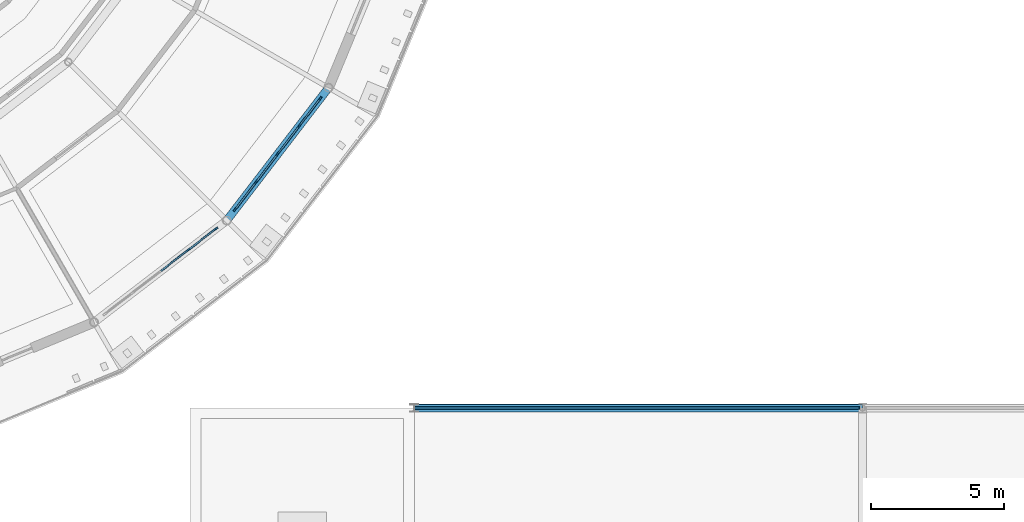
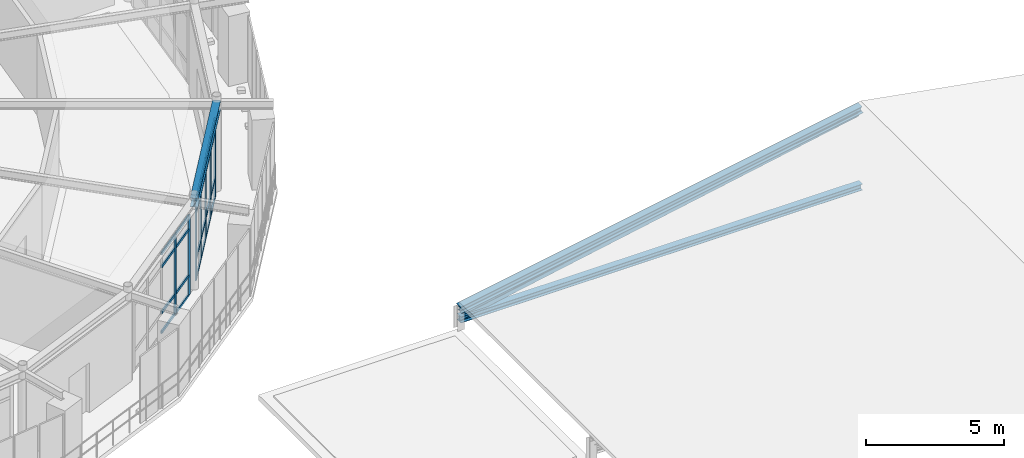
# One storey, part 36 of 90: 34 members, 1 beam, 2 elements without a shape of their own.
"""IFC4 building model written with IfcOpenShell, lengths in metres."""

from ifc_helpers import new_model, si_unit, derived_unit, direction, frame, origin, origin_2d, place, context, subcontext, project, spatial, rectangle, hollow_rectangle, i_section, extrude, material, layer, layer_set, material_profile, profile_set, type_object, element, aggregate, save


model = new_model("IFC4")

# Units and contexts
model_context = context("Model", 3, precision=1e-05, world=origin(), true_north=direction((0.0, 1.0)))
body_context = subcontext(model_context, "Body", "Model", "MODEL_VIEW")
ifc_project = project(units=[si_unit("LENGTHUNIT", "METRE"), si_unit("AREAUNIT", "SQUARE_METRE"), si_unit("VOLUMEUNIT", "CUBIC_METRE"), si_unit("PLANEANGLEUNIT", "RADIAN"), si_unit("MASSUNIT", "GRAM", prefix="KILO"), derived_unit("THERMALTRANSMITTANCEUNIT", [(si_unit("POWERUNIT", "WATT"), 1), (si_unit("AREAUNIT", "SQUARE_METRE"), -1), (si_unit("THERMODYNAMICTEMPERATUREUNIT", "KELVIN"), -1)])], contexts=[model_context])

# Site, building, storey
site_placement = place(None, origin())
site = spatial("IfcSite", under=ifc_project, at=site_placement, CompositionType="ELEMENT")
building_placement = place(site_placement, origin())
building = spatial("IfcBuilding", under=site, at=building_placement, Name="Yasenodar Specialist Clinic", CompositionType="ELEMENT")
storey_placement = place(building_placement, frame((0.0, 0.0, 9.0)))
storey = spatial("IfcBuildingStorey", under=building, at=storey_placement, Name="L02", CompositionType="ELEMENT", Elevation=9.0)

# Beam
ifc_material_1 = material(Name="Steel S355", Category="steel")
ifc_material_profile_1 = material_profile(ifc_material_1, i_section(OverallWidth=0.300048828125, OverallDepth=0.389892578125, WebThickness=0.010986328125, FlangeThickness=0.01904296875, FilletRadius=0.027099609375, at=origin_2d()), Name="HEA 400")
ifc_profile_set_1 = profile_set([ifc_material_profile_1], Name="Steel S355")
beam_type = type_object("IfcBeamType", Name="BM-HEA400", PredefinedType="BEAM", material=ifc_profile_set_1)
beam_placement = place(storey_placement, frame((97.970703125, 41.829345703125, 3.7548828125), z_axis=(0.608742360322, 0.793367971845, 0.0), x_axis=(-0.793367971845, 0.608742360322, 0.0)))
element("IfcBeam", 1, at=beam_placement, inside=storey, type_object=beam_type, Name="L02 Drum V1 Perimeter Ring Beam", PredefinedType="BEAM", context=body_context, shape_type="SweptSolid", body=[
    extrude(i_section(OverallWidth=0.300048828125, OverallDepth=0.389892578125, WebThickness=0.010986328125, FlangeThickness=0.01904296875, FilletRadius=0.027099609375, at=origin_2d()), origin(), (0.0, 0.0, 1.0), 6.265380859375),
])

# Curtain wall, members
ifc_material_2 = material(Name="Bronze Anodized Aluminium and Triple Low-E Glass", Category="aluminium")
ifc_layer = layer(ifc_material_2, 0.1669921875)
ifc_layer_set = layer_set([ifc_layer], Name="Bronze Anodized Aluminium and Triple Low-E Glass")
curtain_wall_type = type_object("IfcCurtainWallType", Name="CW-SYS-01", PredefinedType="USERDEFINED", material=ifc_layer_set)
curtain_wall_1_placement = place(storey_placement, origin())
curtain_wall_1 = element("IfcCurtainWall", 2, at=curtain_wall_1_placement, inside=storey, type_object=curtain_wall_type, Name="L02 Unitised Curtain Wall 037", ObjectType="UNITISED CURTAIN WALL", PredefinedType="USERDEFINED")
ifc_material_3 = material(Name="Bronze Anodized Aluminium", Category="aluminium")
ifc_material_profile_2 = material_profile(ifc_material_3, rectangle(XDim=0.06005859375, YDim=0.159912109375, at=origin_2d()), Name="CW-MULL 60x160")
ifc_profile_set_2 = profile_set([ifc_material_profile_2], Name="Bronze Anodized Aluminium")
member_type_1 = type_object("IfcMemberType", Name="CW-MULL-160", PredefinedType="MULLION", material=ifc_profile_set_2)
member_1_placement = place(storey_placement, frame((97.56591796875, 41.51904296875, 0.0), z_axis=(0.0, 0.0, 1.0), x_axis=(0.608752021844, -0.793360558574, 0.0)))
member_1 = element("IfcMember", 3, at=member_1_placement, type_object=member_type_1, Name="CW-01 mullion 1", PredefinedType="MULLION", context=body_context, shape_type="SweptSolid", body=[
    extrude(rectangle(XDim=0.06005859375, YDim=0.159912109375, at=origin_2d()), origin(), (0.0, 0.0, 1.0), 3.5380859375),
])
member_2_placement = place(storey_placement, frame((96.53759765625, 40.729736328125, 0.0), z_axis=(0.0, 0.0, 1.0), x_axis=(0.608752021844, -0.793360558574, 0.0)))
member_2 = element("IfcMember", 4, at=member_2_placement, type_object=member_type_1, Name="CW-01 mullion 2", PredefinedType="MULLION", context=body_context, shape_type="SweptSolid", body=[
    extrude(rectangle(XDim=0.06005859375, YDim=0.159912109375, at=origin_2d()), origin(), (0.0, 0.0, 1.0), 3.5380859375),
])

curtain_wall_2_placement = place(storey_placement, origin())
curtain_wall_2 = element("IfcCurtainWall", 5, at=curtain_wall_2_placement, inside=storey, type_object=curtain_wall_type, Name="L02 Unitised Curtain Wall 038", ObjectType="UNITISED CURTAIN WALL", PredefinedType="USERDEFINED")
member_3_placement = place(storey_placement, frame((101.47412109375, 46.3955078125, 0.0), z_axis=(0.0, 0.0, 1.0), x_axis=(0.793360558574, -0.608752021844, 0.0)))
member_3 = element("IfcMember", 6, at=member_3_placement, type_object=member_type_1, Name="CW-01 mullion 1", PredefinedType="MULLION", context=body_context, shape_type="SweptSolid", body=[
    extrude(rectangle(XDim=0.06005859375, YDim=0.159912109375, at=origin_2d()), origin(), (0.0, 0.0, 1.0), 3.5380859375),
])
member_4_placement = place(storey_placement, frame((100.68505859375, 45.366943359375, 0.0), z_axis=(0.0, 0.0, 1.0), x_axis=(0.793360558574, -0.608752021844, 0.0)))
member_4 = element("IfcMember", 7, at=member_4_placement, type_object=member_type_1, Name="CW-01 mullion 2", PredefinedType="MULLION", context=body_context, shape_type="SweptSolid", body=[
    extrude(rectangle(XDim=0.06005859375, YDim=0.159912109375, at=origin_2d()), origin(), (0.0, 0.0, 1.0), 3.5380859375),
])
member_5_placement = place(storey_placement, frame((99.877685546875, 44.314697265625, 0.0), z_axis=(0.0, 0.0, 1.0), x_axis=(0.793360558574, -0.608752021844, 0.0)))
member_5 = element("IfcMember", 8, at=member_5_placement, type_object=member_type_1, Name="CW-01 mullion 3", PredefinedType="MULLION", context=body_context, shape_type="SweptSolid", body=[
    extrude(rectangle(XDim=0.06005859375, YDim=0.159912109375, at=origin_2d()), origin(), (0.0, 0.0, 1.0), 3.5380859375),
])
member_6_placement = place(storey_placement, frame((99.0703125, 43.262451171875, 0.0), z_axis=(0.0, 0.0, 1.0), x_axis=(0.793360558574, -0.608752021844, 0.0)))
member_6 = element("IfcMember", 9, at=member_6_placement, type_object=member_type_1, Name="CW-01 mullion 4", PredefinedType="MULLION", context=body_context, shape_type="SweptSolid", body=[
    extrude(rectangle(XDim=0.06005859375, YDim=0.159912109375, at=origin_2d()), origin(), (0.0, 0.0, 1.0), 3.5380859375),
])
member_7_placement = place(storey_placement, frame((98.281005859375, 42.23388671875, 0.0), z_axis=(0.0, 0.0, 1.0), x_axis=(0.793360558574, -0.608752021844, 0.0)))
member_7 = element("IfcMember", 10, at=member_7_placement, type_object=member_type_1, Name="CW-01 mullion 5", PredefinedType="MULLION", context=body_context, shape_type="SweptSolid", body=[
    extrude(rectangle(XDim=0.06005859375, YDim=0.159912109375, at=origin_2d()), origin(), (0.0, 0.0, 1.0), 3.5380859375),
])

# Member
ifc_material_profile_3 = material_profile(ifc_material_3, rectangle(XDim=0.06005859375, YDim=0.1201171875, at=origin_2d()), Name="CW-TRAN 60x120")
ifc_profile_set_3 = profile_set([ifc_material_profile_3], Name="Bronze Anodized Aluminium")
member_type_2 = type_object("IfcMemberType", Name="CW-TRAN-120", PredefinedType="USERDEFINED", material=ifc_profile_set_3)
member_8_placement = place(storey_placement, frame((97.542236328125, 41.500732421875, 0.030029296875), z_axis=(-0.793364768151, -0.608746535642, 0.0), x_axis=(0.608746535642, -0.793364768151, 0.0)))
member_8 = element("IfcMember", 11, at=member_8_placement, type_object=member_type_2, Name="CW-01 transom 1.1", ObjectType="TRANSOM", PredefinedType="USERDEFINED", context=body_context, shape_type="SweptSolid", body=[
    extrude(rectangle(XDim=0.06005859375, YDim=0.1201171875, at=origin_2d()), origin(), (0.0, 0.0, 1.0), 1.236572265625),
])

member_9_placement = place(storey_placement, frame((97.542236328125, 41.500732421875, 0.89990234375), z_axis=(-0.793364768151, -0.608746535642, 0.0), x_axis=(0.608746535642, -0.793364768151, 0.0)))
member_9 = element("IfcMember", 12, at=member_9_placement, type_object=member_type_2, Name="CW-01 transom 1.2", ObjectType="TRANSOM", PredefinedType="USERDEFINED", context=body_context, shape_type="SweptSolid", body=[
    extrude(rectangle(XDim=0.06005859375, YDim=0.1201171875, at=origin_2d()), origin(), (0.0, 0.0, 1.0), 1.236572265625),
])

member_10_placement = place(storey_placement, frame((97.542236328125, 41.500732421875, 2.93798828125), z_axis=(-0.793364768151, -0.608746535642, 0.0), x_axis=(0.608746535642, -0.793364768151, 0.0)))
member_10 = element("IfcMember", 13, at=member_10_placement, type_object=member_type_2, Name="CW-01 transom 1.3", ObjectType="TRANSOM", PredefinedType="USERDEFINED", context=body_context, shape_type="SweptSolid", body=[
    extrude(rectangle(XDim=0.06005859375, YDim=0.1201171875, at=origin_2d()), origin(), (0.0, 0.0, 1.0), 1.236572265625),
])

member_11_placement = place(storey_placement, frame((97.542236328125, 41.500732421875, 3.508056640625), z_axis=(-0.793364768151, -0.608746535642, 0.0), x_axis=(0.608746535642, -0.793364768151, 0.0)))
member_11 = element("IfcMember", 14, at=member_11_placement, type_object=member_type_2, Name="CW-01 transom 1.4", ObjectType="TRANSOM", PredefinedType="USERDEFINED", context=body_context, shape_type="SweptSolid", body=[
    extrude(rectangle(XDim=0.06005859375, YDim=0.1201171875, at=origin_2d()), origin(), (0.0, 0.0, 1.0), 1.236572265625),
])

member_12_placement = place(storey_placement, frame((96.513671875, 40.71142578125, 0.030029296875), z_axis=(-0.793404604701, -0.608694614104, 0.0), x_axis=(0.608694614104, -0.793404604701, 0.0)))
member_12 = element("IfcMember", 15, at=member_12_placement, type_object=member_type_2, Name="CW-01 transom 2.1", ObjectType="TRANSOM", PredefinedType="USERDEFINED", context=body_context, shape_type="SweptSolid", body=[
    extrude(rectangle(XDim=0.06005859375, YDim=0.1201171875, at=origin_2d()), origin(), (0.0, 0.0, 1.0), 1.266357421875),
])

member_13_placement = place(storey_placement, frame((96.513671875, 40.71142578125, 0.89990234375), z_axis=(-0.793404604701, -0.608694614104, 0.0), x_axis=(0.608694614104, -0.793404604701, 0.0)))
member_13 = element("IfcMember", 16, at=member_13_placement, type_object=member_type_2, Name="CW-01 transom 2.2", ObjectType="TRANSOM", PredefinedType="USERDEFINED", context=body_context, shape_type="SweptSolid", body=[
    extrude(rectangle(XDim=0.06005859375, YDim=0.1201171875, at=origin_2d()), origin(), (0.0, 0.0, 1.0), 1.266357421875),
])

member_14_placement = place(storey_placement, frame((96.513671875, 40.71142578125, 2.93798828125), z_axis=(-0.793404604701, -0.608694614104, 0.0), x_axis=(0.608694614104, -0.793404604701, 0.0)))
member_14 = element("IfcMember", 17, at=member_14_placement, type_object=member_type_2, Name="CW-01 transom 2.3", ObjectType="TRANSOM", PredefinedType="USERDEFINED", context=body_context, shape_type="SweptSolid", body=[
    extrude(rectangle(XDim=0.06005859375, YDim=0.1201171875, at=origin_2d()), origin(), (0.0, 0.0, 1.0), 1.266357421875),
])

member_15_placement = place(storey_placement, frame((96.513671875, 40.71142578125, 3.508056640625), z_axis=(-0.793404604701, -0.608694614104, 0.0), x_axis=(0.608694614104, -0.793404604701, 0.0)))
member_15 = element("IfcMember", 18, at=member_15_placement, type_object=member_type_2, Name="CW-01 transom 2.4", ObjectType="TRANSOM", PredefinedType="USERDEFINED", context=body_context, shape_type="SweptSolid", body=[
    extrude(rectangle(XDim=0.06005859375, YDim=0.1201171875, at=origin_2d()), origin(), (0.0, 0.0, 1.0), 1.266357421875),
])

aggregate(curtain_wall_1, [member_1, member_2, member_8, member_9, member_10, member_11, member_12, member_13, member_14, member_15])

member_16_placement = place(storey_placement, frame((101.455810546875, 46.37158203125, 0.030029296875), z_axis=(-0.608717606417, -0.793386964626, 0.0), x_axis=(0.793386964626, -0.608717606417, 0.0)))
member_16 = element("IfcMember", 19, at=member_16_placement, type_object=member_type_2, Name="CW-01 transom 1.1", ObjectType="TRANSOM", PredefinedType="USERDEFINED", context=body_context, shape_type="SweptSolid", body=[
    extrude(rectangle(XDim=0.06005859375, YDim=0.1201171875, at=origin_2d()), origin(), (0.0, 0.0, 1.0), 1.236083984375),
])

member_17_placement = place(storey_placement, frame((101.455810546875, 46.37158203125, 0.89990234375), z_axis=(-0.608717606417, -0.793386964626, 0.0), x_axis=(0.793386964626, -0.608717606417, 0.0)))
member_17 = element("IfcMember", 20, at=member_17_placement, type_object=member_type_2, Name="CW-01 transom 1.2", ObjectType="TRANSOM", PredefinedType="USERDEFINED", context=body_context, shape_type="SweptSolid", body=[
    extrude(rectangle(XDim=0.06005859375, YDim=0.1201171875, at=origin_2d()), origin(), (0.0, 0.0, 1.0), 1.236083984375),
])

member_18_placement = place(storey_placement, frame((101.455810546875, 46.37158203125, 2.93798828125), z_axis=(-0.608717606417, -0.793386964626, 0.0), x_axis=(0.793386964626, -0.608717606417, 0.0)))
member_18 = element("IfcMember", 21, at=member_18_placement, type_object=member_type_2, Name="CW-01 transom 1.3", ObjectType="TRANSOM", PredefinedType="USERDEFINED", context=body_context, shape_type="SweptSolid", body=[
    extrude(rectangle(XDim=0.06005859375, YDim=0.1201171875, at=origin_2d()), origin(), (0.0, 0.0, 1.0), 1.236083984375),
])

member_19_placement = place(storey_placement, frame((101.455810546875, 46.37158203125, 3.508056640625), z_axis=(-0.608717606417, -0.793386964626, 0.0), x_axis=(0.793386964626, -0.608717606417, 0.0)))
member_19 = element("IfcMember", 22, at=member_19_placement, type_object=member_type_2, Name="CW-01 transom 1.4", ObjectType="TRANSOM", PredefinedType="USERDEFINED", context=body_context, shape_type="SweptSolid", body=[
    extrude(rectangle(XDim=0.06005859375, YDim=0.1201171875, at=origin_2d()), origin(), (0.0, 0.0, 1.0), 1.236083984375),
])

member_20_placement = place(storey_placement, frame((100.666748046875, 45.34326171875, 0.030029296875), z_axis=(-0.608722862036, -0.793382932281, 0.0), x_axis=(0.793382932281, -0.608722862036, 0.0)))
member_20 = element("IfcMember", 23, at=member_20_placement, type_object=member_type_2, Name="CW-01 transom 2.1", ObjectType="TRANSOM", PredefinedType="USERDEFINED", context=body_context, shape_type="SweptSolid", body=[
    extrude(rectangle(XDim=0.06005859375, YDim=0.1201171875, at=origin_2d()), origin(), (0.0, 0.0, 1.0), 1.2666015625),
])

member_21_placement = place(storey_placement, frame((100.666748046875, 45.34326171875, 0.89990234375), z_axis=(-0.608722862036, -0.793382932281, 0.0), x_axis=(0.793382932281, -0.608722862036, 0.0)))
member_21 = element("IfcMember", 24, at=member_21_placement, type_object=member_type_2, Name="CW-01 transom 2.2", ObjectType="TRANSOM", PredefinedType="USERDEFINED", context=body_context, shape_type="SweptSolid", body=[
    extrude(rectangle(XDim=0.06005859375, YDim=0.1201171875, at=origin_2d()), origin(), (0.0, 0.0, 1.0), 1.2666015625),
])

member_22_placement = place(storey_placement, frame((100.666748046875, 45.34326171875, 2.93798828125), z_axis=(-0.608722862036, -0.793382932281, 0.0), x_axis=(0.793382932281, -0.608722862036, 0.0)))
member_22 = element("IfcMember", 25, at=member_22_placement, type_object=member_type_2, Name="CW-01 transom 2.3", ObjectType="TRANSOM", PredefinedType="USERDEFINED", context=body_context, shape_type="SweptSolid", body=[
    extrude(rectangle(XDim=0.06005859375, YDim=0.1201171875, at=origin_2d()), origin(), (0.0, 0.0, 1.0), 1.2666015625),
])

member_23_placement = place(storey_placement, frame((100.666748046875, 45.34326171875, 3.508056640625), z_axis=(-0.608722862036, -0.793382932281, 0.0), x_axis=(0.793382932281, -0.608722862036, 0.0)))
member_23 = element("IfcMember", 26, at=member_23_placement, type_object=member_type_2, Name="CW-01 transom 2.4", ObjectType="TRANSOM", PredefinedType="USERDEFINED", context=body_context, shape_type="SweptSolid", body=[
    extrude(rectangle(XDim=0.06005859375, YDim=0.1201171875, at=origin_2d()), origin(), (0.0, 0.0, 1.0), 1.2666015625),
])

member_24_placement = place(storey_placement, frame((99.859375, 44.291015625, 0.030029296875), z_axis=(-0.608722862036, -0.793382932281, 0.0), x_axis=(0.793382932281, -0.608722862036, 0.0)))
member_24 = element("IfcMember", 27, at=member_24_placement, type_object=member_type_2, Name="CW-01 transom 3.1", ObjectType="TRANSOM", PredefinedType="USERDEFINED", context=body_context, shape_type="SweptSolid", body=[
    extrude(rectangle(XDim=0.06005859375, YDim=0.1201171875, at=origin_2d()), origin(), (0.0, 0.0, 1.0), 1.2666015625),
])

member_25_placement = place(storey_placement, frame((99.859375, 44.291015625, 0.89990234375), z_axis=(-0.608722862036, -0.793382932281, 0.0), x_axis=(0.793382932281, -0.608722862036, 0.0)))
member_25 = element("IfcMember", 28, at=member_25_placement, type_object=member_type_2, Name="CW-01 transom 3.2", ObjectType="TRANSOM", PredefinedType="USERDEFINED", context=body_context, shape_type="SweptSolid", body=[
    extrude(rectangle(XDim=0.06005859375, YDim=0.1201171875, at=origin_2d()), origin(), (0.0, 0.0, 1.0), 1.2666015625),
])

member_26_placement = place(storey_placement, frame((99.859375, 44.291015625, 2.93798828125), z_axis=(-0.608722862036, -0.793382932281, 0.0), x_axis=(0.793382932281, -0.608722862036, 0.0)))
member_26 = element("IfcMember", 29, at=member_26_placement, type_object=member_type_2, Name="CW-01 transom 3.3", ObjectType="TRANSOM", PredefinedType="USERDEFINED", context=body_context, shape_type="SweptSolid", body=[
    extrude(rectangle(XDim=0.06005859375, YDim=0.1201171875, at=origin_2d()), origin(), (0.0, 0.0, 1.0), 1.2666015625),
])

member_27_placement = place(storey_placement, frame((99.859375, 44.291015625, 3.508056640625), z_axis=(-0.608722862036, -0.793382932281, 0.0), x_axis=(0.793382932281, -0.608722862036, 0.0)))
member_27 = element("IfcMember", 30, at=member_27_placement, type_object=member_type_2, Name="CW-01 transom 3.4", ObjectType="TRANSOM", PredefinedType="USERDEFINED", context=body_context, shape_type="SweptSolid", body=[
    extrude(rectangle(XDim=0.06005859375, YDim=0.1201171875, at=origin_2d()), origin(), (0.0, 0.0, 1.0), 1.2666015625),
])

member_28_placement = place(storey_placement, frame((99.052001953125, 43.23876953125, 0.030029296875), z_axis=(-0.608746535642, -0.793364768151, 0.0), x_axis=(0.793364768151, -0.608746535642, 0.0)))
member_28 = element("IfcMember", 31, at=member_28_placement, type_object=member_type_2, Name="CW-01 transom 4.1", ObjectType="TRANSOM", PredefinedType="USERDEFINED", context=body_context, shape_type="SweptSolid", body=[
    extrude(rectangle(XDim=0.06005859375, YDim=0.1201171875, at=origin_2d()), origin(), (0.0, 0.0, 1.0), 1.236572265625),
])

member_29_placement = place(storey_placement, frame((99.052001953125, 43.23876953125, 0.89990234375), z_axis=(-0.608746535642, -0.793364768151, 0.0), x_axis=(0.793364768151, -0.608746535642, 0.0)))
member_29 = element("IfcMember", 32, at=member_29_placement, type_object=member_type_2, Name="CW-01 transom 4.2", ObjectType="TRANSOM", PredefinedType="USERDEFINED", context=body_context, shape_type="SweptSolid", body=[
    extrude(rectangle(XDim=0.06005859375, YDim=0.1201171875, at=origin_2d()), origin(), (0.0, 0.0, 1.0), 1.236572265625),
])

member_30_placement = place(storey_placement, frame((99.052001953125, 43.23876953125, 2.93798828125), z_axis=(-0.608746535642, -0.793364768151, 0.0), x_axis=(0.793364768151, -0.608746535642, 0.0)))
member_30 = element("IfcMember", 33, at=member_30_placement, type_object=member_type_2, Name="CW-01 transom 4.3", ObjectType="TRANSOM", PredefinedType="USERDEFINED", context=body_context, shape_type="SweptSolid", body=[
    extrude(rectangle(XDim=0.06005859375, YDim=0.1201171875, at=origin_2d()), origin(), (0.0, 0.0, 1.0), 1.236572265625),
])

member_31_placement = place(storey_placement, frame((99.052001953125, 43.23876953125, 3.508056640625), z_axis=(-0.608746535642, -0.793364768151, 0.0), x_axis=(0.793364768151, -0.608746535642, 0.0)))
member_31 = element("IfcMember", 34, at=member_31_placement, type_object=member_type_2, Name="CW-01 transom 4.4", ObjectType="TRANSOM", PredefinedType="USERDEFINED", context=body_context, shape_type="SweptSolid", body=[
    extrude(rectangle(XDim=0.06005859375, YDim=0.1201171875, at=origin_2d()), origin(), (0.0, 0.0, 1.0), 1.236572265625),
])

aggregate(curtain_wall_2, [member_3, member_4, member_5, member_6, member_7, member_16, member_17, member_18, member_19, member_20, member_21, member_22, member_23, member_24, member_25, member_26, member_27, member_28, member_29, member_30, member_31])

# Members
ifc_material_profile_4 = material_profile(ifc_material_1, hollow_rectangle(XDim=0.10009765625, YDim=0.199951171875, WallThickness=0.008056640625, InnerFilletRadius=0.011962890625, OuterFilletRadius=0.02001953125, at=origin_2d()), Name="RHS 200x100x8")
ifc_profile_set_4 = profile_set([ifc_material_profile_4], Name="Steel S355")
member_type_3 = type_object("IfcMemberType", Name="TR-BRC-RHS200", PredefinedType="BRACE", material=ifc_profile_set_4)
member_32_placement = place(storey_placement, frame((105.0, 34.800048828125, 0.449951171875), z_axis=(0.981981526507, 0.0, 0.18897693404), x_axis=(0.0, 1.0, 0.0)))
element("IfcMember", 35, at=member_32_placement, inside=storey, type_object=member_type_3, Name="V3 Conservatory Truss Diagonal 5W", PredefinedType="BRACE", context=body_context, shape_type="SweptSolid", body=[
    extrude(hollow_rectangle(XDim=0.10009765625, YDim=0.199951171875, WallThickness=0.008056640625, InnerFilletRadius=0.011962890625, OuterFilletRadius=0.02001953125, at=origin_2d()), origin(), (0.0, 0.0, 1.0), 16.986083984375),
])
ifc_material_profile_5 = material_profile(ifc_material_1, i_section(OverallWidth=0.280029296875, OverallDepth=0.27001953125, WebThickness=0.008056640625, FlangeThickness=0.012939453125, FilletRadius=0.02392578125, at=origin_2d()), Name="HEA 280")
ifc_profile_set_5 = profile_set([ifc_material_profile_5], Name="Steel S355")
member_type_4 = type_object("IfcMemberType", Name="TR-CHD-HEA280", PredefinedType="CHORD", material=ifc_profile_set_5)
member_33_placement = place(storey_placement, frame((105.0, 34.800048828125, 0.449951171875), z_axis=(1.0, 0.0, 0.0), x_axis=(0.0, 1.0, 0.0)))
element("IfcMember", 36, at=member_33_placement, inside=storey, type_object=member_type_4, Name="V3 Conservatory Tie Chord 5W", PredefinedType="CHORD", context=body_context, shape_type="SweptSolid", body=[
    extrude(i_section(OverallWidth=0.280029296875, OverallDepth=0.27001953125, WebThickness=0.008056640625, FlangeThickness=0.012939453125, FilletRadius=0.02392578125, at=origin_2d()), origin(), (0.0, 0.0, 1.0), 16.800048828125),
])
ifc_material_profile_6 = material_profile(ifc_material_1, i_section(OverallWidth=0.300048828125, OverallDepth=0.300048828125, WebThickness=0.010986328125, FlangeThickness=0.01904296875, FilletRadius=0.027099609375, at=origin_2d()), Name="HEB 300")
ifc_profile_set_6 = profile_set([ifc_material_profile_6], Name="Steel S355")
member_type_5 = type_object("IfcMemberType", Name="TR-CHD-HEB300", PredefinedType="CHORD", material=ifc_profile_set_6)
member_34_placement = place(storey_placement, frame((105.0, 34.800048828125, 0.8798828125), z_axis=(0.984427663925, 0.0, 0.17579014335), x_axis=(0.0, 1.0, 0.0)))
element("IfcMember", 37, at=member_34_placement, inside=storey, type_object=member_type_5, Name="V3 Conservatory Pitched Rafter 5W", PredefinedType="CHORD", context=body_context, shape_type="SweptSolid", body=[
    extrude(i_section(OverallWidth=0.300048828125, OverallDepth=0.300048828125, WebThickness=0.010986328125, FlangeThickness=0.01904296875, FilletRadius=0.027099609375, at=origin_2d()), origin(), (0.0, 0.0, 1.0), 17.06591796875),
])

save(model, "model.ifc")
